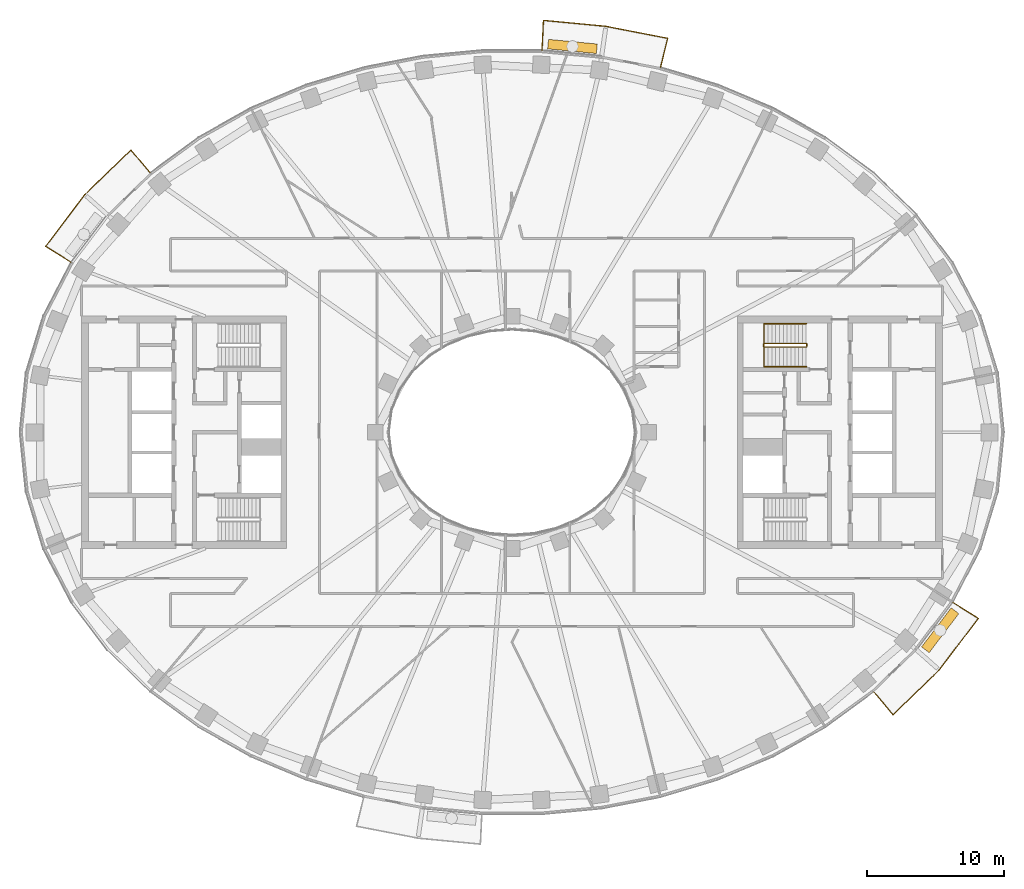
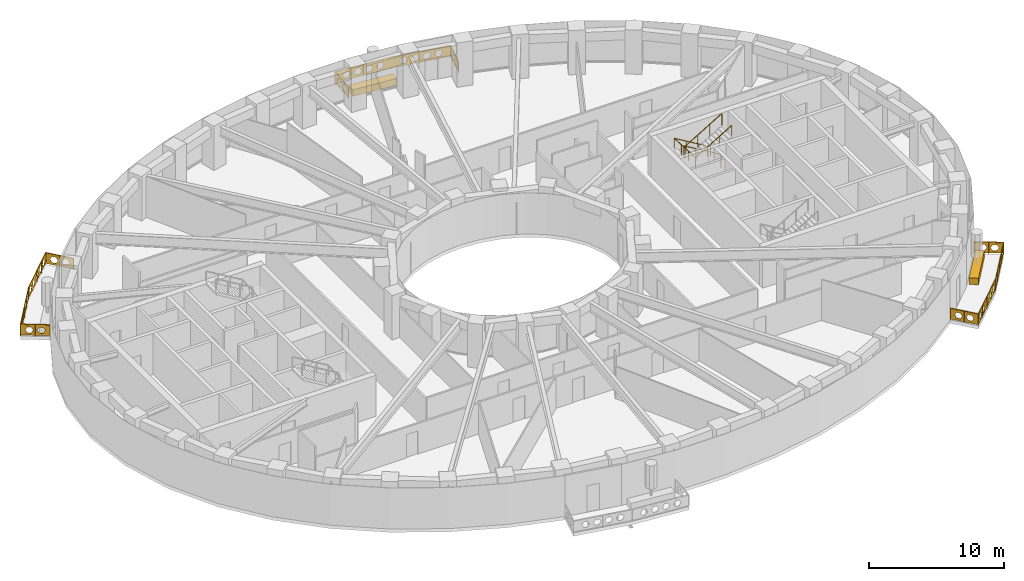
# One storey, part 15 of 16: 5 railings, 2 coverings.
"""IFC4 building model written with IfcOpenShell, lengths in metres."""

from ifc_helpers import new_model, si_unit, direction, frame, origin, origin_2d, place, context, subcontext, project, spatial, polyline, rectangle, outline, extrude, material, type_object, element, save


model = new_model("IFC4")

# Units and contexts
model_context = context("Model", 3, precision=1e-05, world=origin(), true_north=direction((0.0, 1.0)))
body_context = subcontext(model_context, "Body", "Model", "MODEL_VIEW")
ifc_project = project(units=[si_unit("LENGTHUNIT", "METRE"), si_unit("AREAUNIT", "SQUARE_METRE"), si_unit("VOLUMEUNIT", "CUBIC_METRE"), si_unit("PLANEANGLEUNIT", "RADIAN"), si_unit("MASSUNIT", "GRAM", prefix="KILO")], contexts=[model_context])

# Site, building, storey
site_placement = place(None, origin())
site = spatial("IfcSite", under=ifc_project, at=site_placement, CompositionType="ELEMENT")
building_placement = place(site_placement, origin())
building = spatial("IfcBuilding", under=site, at=building_placement, Name="Noorbagh Ring Tower", CompositionType="ELEMENT")
storey_placement = place(building_placement, frame((0.0, 0.0, 124.0)))
storey = spatial("IfcBuildingStorey", under=building, at=storey_placement, Name="L28", CompositionType="ELEMENT", Elevation=124.0)

# Railings
ifc_material_1 = material(Name="Stainless steel", Category="steel")
railing_type_1 = type_object("IfcRailingType", Name="CORE-STAIR-GUARD", PredefinedType="GUARDRAIL", material=ifc_material_1)
railing_1_placement = place(storey_placement, frame((21.580078125, 6.449951171875, 0.0)))
element("IfcRailing", 1, at=railing_1_placement, inside=storey, type_object=railing_type_1, Name="L28 ST3 stair guard", PredefinedType="GUARDRAIL", context=body_context, shape_type="SweptSolid", body=[
    extrude(rectangle(XDim=0.048095703125, YDim=0.048095703125, at=origin_2d()), frame((0.0, 0.0, 1.076171875), z_axis=(0.0, -1.0, 0.0), x_axis=(1.0, 0.0, 0.0)), (0.0, 0.0, 1.0), 0.14990234375),
    extrude(rectangle(XDim=0.048095703125, YDim=0.048095703125, at=origin_2d()), frame((0.0, -0.14990234375, 1.076171875), z_axis=(-0.188775798145, 0.754182335027, 0.628945707965), x_axis=(-0.970072785993, -0.242814311512, 0.0)), (0.0, 0.0, 1.0), 0.26513671875),
    extrude(rectangle(XDim=0.048095703125, YDim=0.048095703125, at=origin_2d()), frame((-0.050048828125, 0.050048828125, 1.24267578125), z_axis=(-0.859308565015, 0.0, 0.511457515432), x_axis=(0.0, -1.0, 0.0)), (0.0, 0.0, 1.0), 3.58447265625),
    extrude(rectangle(XDim=0.048095703125, YDim=0.048095703125, at=origin_2d()), frame((-3.130126953125, 0.050048828125, 3.076171875), z_axis=(-0.707106781187, -0.707106781187, 0.0), x_axis=(0.707106781187, -0.707106781187, 0.0)), (0.0, 0.0, 1.0), 0.07080078125),
    extrude(rectangle(XDim=0.048095703125, YDim=0.048095703125, at=origin_2d()), frame((-3.18017578125, 0.0, 3.076171875), z_axis=(0.0, -1.0, 0.0), x_axis=(1.0, 0.0, 0.0)), (0.0, 0.0, 1.0), 0.14990234375),
    extrude(rectangle(XDim=0.048095703125, YDim=0.048095703125, at=origin_2d()), frame((-3.18017578125, -0.14990234375, 3.076171875), z_axis=(0.27628659633, -0.27628659633, 0.920506074601), x_axis=(0.707106781187, 0.707106781187, 0.0)), (0.0, 0.0, 1.0), 0.18115234375),
    extrude(rectangle(XDim=0.048095703125, YDim=0.048095703125, at=origin_2d()), frame((-3.130126953125, -0.199951171875, 3.24267578125), z_axis=(0.859308565015, 0.0, 0.511457515432), x_axis=(0.0, 1.0, 0.0)), (0.0, 0.0, 1.0), 3.58447265625),
    extrude(rectangle(XDim=0.0419921875, YDim=0.0419921875, at=origin_2d()), origin(), (0.0, 0.0, 1.0), 1.052001953125),
    extrude(rectangle(XDim=0.0419921875, YDim=0.0419921875, at=origin_2d()), frame((-1.07666015625, 0.050048828125, 0.77783203125)), (0.0, 0.0, 1.0), 1.052001953125),
    extrude(rectangle(XDim=0.0419921875, YDim=0.0419921875, at=origin_2d()), frame((-2.103515625, 0.050048828125, 1.388916015625)), (0.0, 0.0, 1.0), 1.052001953125),
    extrude(rectangle(XDim=0.0419921875, YDim=0.0419921875, at=origin_2d()), frame((-3.130126953125, 0.050048828125, 2.0)), (0.0, 0.0, 1.0), 1.052001953125),
    extrude(rectangle(XDim=0.0419921875, YDim=0.0419921875, at=origin_2d()), frame((-3.130126953125, -0.199951171875, 2.166748046875)), (0.0, 0.0, 1.0), 1.052001953125),
    extrude(rectangle(XDim=0.0419921875, YDim=0.0419921875, at=origin_2d()), frame((-2.103515625, -0.199951171875, 2.77783203125)), (0.0, 0.0, 1.0), 1.052001953125),
    extrude(rectangle(XDim=0.0419921875, YDim=0.0419921875, at=origin_2d()), frame((-1.07666015625, -0.199951171875, 3.388916015625)), (0.0, 0.0, 1.0), 1.052001953125),
    extrude(rectangle(XDim=0.0419921875, YDim=0.0419921875, at=origin_2d()), frame((-0.050048828125, -0.199951171875, 4.0)), (0.0, 0.0, 1.0), 1.052001953125),
])
ifc_material_2 = material(Name="Stainless steel", Category="steel")
railing_type_2 = type_object("IfcRailingType", Name="CORE-STAIR-HANDRAIL", PredefinedType="HANDRAIL", material=ifc_material_2)
railing_2_placement = place(storey_placement, frame((21.530029296875, 7.949951171875, 0.166748046875)))
element("IfcRailing", 2, at=railing_2_placement, inside=storey, type_object=railing_type_2, Name="L28 ST3 stair handrail", PredefinedType="HANDRAIL", context=body_context, shape_type="SweptSolid", body=[
    extrude(rectangle(XDim=0.048095703125, YDim=0.048095703125, at=origin_2d()), frame((0.0, 0.0, 0.8759765625), z_axis=(-0.859308565015, 0.0, 0.511457515432), x_axis=(0.0, -1.0, 0.0)), (0.0, 0.0, 1.0), 3.58447265625),
    extrude(rectangle(XDim=0.048095703125, YDim=0.048095703125, at=origin_2d()), frame((-3.080078125, 0.0, 2.708984375), z_axis=(0.0, -0.998601747152, 0.052863509014), x_axis=(1.0, 0.0, 0.0)), (0.0, 0.0, 1.0), 3.154296875),
    extrude(rectangle(XDim=0.048095703125, YDim=0.048095703125, at=origin_2d()), frame((-3.080078125, -3.14990234375, 2.8759765625), z_axis=(0.859308565015, 0.0, 0.511457515432), x_axis=(0.0, 1.0, 0.0)), (0.0, 0.0, 1.0), 3.58447265625),
    extrude(rectangle(XDim=0.0419921875, YDim=0.0419921875, at=origin_2d()), origin(), (0.0, 0.0, 1.0), 0.851806640625),
    extrude(rectangle(XDim=0.0419921875, YDim=0.0419921875, at=origin_2d()), frame((-1.026611328125, 0.0, 0.611083984375)), (0.0, 0.0, 1.0), 0.851806640625),
    extrude(rectangle(XDim=0.0419921875, YDim=0.0419921875, at=origin_2d()), frame((-2.053466796875, 0.0, 1.22216796875)), (0.0, 0.0, 1.0), 0.851806640625),
    extrude(rectangle(XDim=0.0419921875, YDim=0.0419921875, at=origin_2d()), frame((-3.080078125, 0.0, 1.833251953125)), (0.0, 0.0, 1.0), 0.851806640625),
    extrude(rectangle(XDim=0.0419921875, YDim=0.0419921875, at=origin_2d()), frame((-3.080078125, -1.050048828125, 1.888916015625)), (0.0, 0.0, 1.0), 0.851806640625),
    extrude(rectangle(XDim=0.0419921875, YDim=0.0419921875, at=origin_2d()), frame((-3.080078125, -2.099853515625, 1.9443359375)), (0.0, 0.0, 1.0), 0.851806640625),
    extrude(rectangle(XDim=0.0419921875, YDim=0.0419921875, at=origin_2d()), frame((-3.080078125, -3.14990234375, 2.0)), (0.0, 0.0, 1.0), 0.851806640625),
    extrude(rectangle(XDim=0.0419921875, YDim=0.0419921875, at=origin_2d()), frame((-2.053466796875, -3.14990234375, 2.611083984375)), (0.0, 0.0, 1.0), 0.851806640625),
    extrude(rectangle(XDim=0.0419921875, YDim=0.0419921875, at=origin_2d()), frame((-1.026611328125, -3.14990234375, 3.22216796875)), (0.0, 0.0, 1.0), 0.851806640625),
    extrude(rectangle(XDim=0.0419921875, YDim=0.0419921875, at=origin_2d()), frame((0.0, -3.14990234375, 3.833251953125)), (0.0, 0.0, 1.0), 0.851806640625),
])
ifc_material_3 = material(Name="Steel S275 black powder-coated", Category="steel")
railing_type_3 = type_object("IfcRailingType", Name="ENV-GUARD", PredefinedType="GUARDRAIL", material=ifc_material_3)
railing_3_placement = place(storey_placement, frame((10.865234375, 26.6943359375, 0.0)))
element("IfcRailing", 3, at=railing_3_placement, inside=storey, type_object=railing_type_3, Name="Balcony guard BN03", PredefinedType="GUARDRAIL", context=body_context, shape_type="SweptSolid", body=[
    extrude(rectangle(XDim=0.048095703125, YDim=0.048095703125, at=origin_2d()), frame((0.0, 0.0, 1.076171875), z_axis=(0.239848558412, 0.970810315679, 0.0), x_axis=(-0.970810315679, 0.239848558412, 0.0)), (0.0, 0.0, 1.0), 2.20263671875),
    extrude(rectangle(XDim=0.048095703125, YDim=0.048095703125, at=origin_2d()), frame((0.5283203125, 2.138427734375, 1.076171875), z_axis=(-0.981625049064, 0.1908199755, 0.0), x_axis=(-0.1908199755, -0.981625049064, 0.0)), (0.0, 0.0, 1.0), 4.603271484375),
    extrude(rectangle(XDim=0.048095703125, YDim=0.048095703125, at=origin_2d()), frame((-3.990478515625, 3.016845703125, 1.076171875), z_axis=(-0.995477555764, 0.094997031379, 0.0), x_axis=(-0.094997031379, -0.995477555764, 0.0)), (0.0, 0.0, 1.0), 4.59765625),
    extrude(rectangle(XDim=0.048095703125, YDim=0.048095703125, at=origin_2d()), frame((-8.5673828125, 3.45361328125, 1.076171875), z_axis=(-0.047554616162, -0.998868639252, 0.0), x_axis=(0.998868639252, -0.047554616162, 0.0)), (0.0, 0.0, 1.0), 2.202392578125),
    extrude(rectangle(XDim=0.0419921875, YDim=0.0419921875, at=origin_2d()), origin(), (0.0, 0.0, 1.0), 1.052001953125),
    extrude(rectangle(XDim=0.0419921875, YDim=0.0419921875, at=origin_2d()), frame((0.26416015625, 1.0693359375, 0.0)), (0.0, 0.0, 1.0), 1.052001953125),
    extrude(rectangle(XDim=0.0419921875, YDim=0.0419921875, at=origin_2d()), frame((0.5283203125, 2.138427734375, 0.0)), (0.0, 0.0, 1.0), 1.052001953125),
    extrude(rectangle(XDim=0.0419921875, YDim=0.0419921875, at=origin_2d()), frame((-0.601318359375, 2.35791015625, 0.0)), (0.0, 0.0, 1.0), 1.052001953125),
    extrude(rectangle(XDim=0.0419921875, YDim=0.0419921875, at=origin_2d()), frame((-1.73095703125, 2.57763671875, 0.0)), (0.0, 0.0, 1.0), 1.052001953125),
    extrude(rectangle(XDim=0.0419921875, YDim=0.0419921875, at=origin_2d()), frame((-2.86083984375, 2.79736328125, 0.0)), (0.0, 0.0, 1.0), 1.052001953125),
    extrude(rectangle(XDim=0.0419921875, YDim=0.0419921875, at=origin_2d()), frame((-3.990478515625, 3.016845703125, 0.0)), (0.0, 0.0, 1.0), 1.052001953125),
    extrude(rectangle(XDim=0.0419921875, YDim=0.0419921875, at=origin_2d()), frame((-5.134765625, 3.1259765625, 0.0)), (0.0, 0.0, 1.0), 1.052001953125),
    extrude(rectangle(XDim=0.0419921875, YDim=0.0419921875, at=origin_2d()), frame((-6.27880859375, 3.2353515625, 0.0)), (0.0, 0.0, 1.0), 1.052001953125),
    extrude(rectangle(XDim=0.0419921875, YDim=0.0419921875, at=origin_2d()), frame((-7.423095703125, 3.344482421875, 0.0)), (0.0, 0.0, 1.0), 1.052001953125),
    extrude(rectangle(XDim=0.0419921875, YDim=0.0419921875, at=origin_2d()), frame((-8.5673828125, 3.45361328125, 0.0)), (0.0, 0.0, 1.0), 1.052001953125),
    extrude(rectangle(XDim=0.0419921875, YDim=0.0419921875, at=origin_2d()), frame((-8.61962890625, 2.353515625, 0.0)), (0.0, 0.0, 1.0), 1.052001953125),
    extrude(rectangle(XDim=0.0419921875, YDim=0.0419921875, at=origin_2d()), frame((-8.672119140625, 1.253662109375, 0.0)), (0.0, 0.0, 1.0), 1.052001953125),
    extrude(outline(polyline([(0.0, 0.10009765625), (2.20263671875, 0.10009765625), (2.20263671875, 1.031982421875), (0.0, 1.031982421875), (0.0, 0.10009765625)]), holes=[polyline([(0.96142578125, 0.56591796875), (0.806396484375, 0.83447265625), (0.496337890625, 0.83447265625), (0.34130859375, 0.56591796875), (0.496337890625, 0.297607421875), (0.806396484375, 0.297607421875), (0.96142578125, 0.56591796875)]), polyline([(1.861328125, 0.56591796875), (1.706298828125, 0.83447265625), (1.396240234375, 0.83447265625), (1.241455078125, 0.56591796875), (1.396240234375, 0.297607421875), (1.706298828125, 0.297607421875), (1.861328125, 0.56591796875)])]), frame((-0.009765625, 0.00244140625, 0.0), z_axis=(0.970810315679, -0.239848558412, 0.0), x_axis=(0.239848558412, 0.970810315679, 0.0)), (0.0, 0.0, 1.0), 0.02001953125),
    extrude(outline(polyline([(0.0, 0.10009765625), (4.603271484375, 0.10009765625), (4.603271484375, 1.031982421875), (0.0, 1.031982421875), (0.0, 0.10009765625)]), holes=[polyline([(1.26171875, 0.56591796875), (1.106689453125, 0.83447265625), (0.796630859375, 0.83447265625), (0.6416015625, 0.56591796875), (0.796630859375, 0.297607421875), (1.106689453125, 0.297607421875), (1.26171875, 0.56591796875)]), polyline([(2.16162109375, 0.56591796875), (2.006591796875, 0.83447265625), (1.69677734375, 0.83447265625), (1.541748046875, 0.56591796875), (1.69677734375, 0.297607421875), (2.006591796875, 0.297607421875), (2.16162109375, 0.56591796875)]), polyline([(3.061767578125, 0.56591796875), (2.90673828125, 0.83447265625), (2.5966796875, 0.83447265625), (2.441650390625, 0.56591796875), (2.5966796875, 0.297607421875), (2.90673828125, 0.297607421875), (3.061767578125, 0.56591796875)]), polyline([(3.961669921875, 0.56591796875), (3.806640625, 0.83447265625), (3.49658203125, 0.83447265625), (3.341796875, 0.56591796875), (3.49658203125, 0.297607421875), (3.806640625, 0.297607421875), (3.961669921875, 0.56591796875)])]), frame((0.5263671875, 2.128662109375, 0.0), z_axis=(0.1908199755, 0.981625049064, 0.0), x_axis=(-0.981625049064, 0.1908199755, 0.0)), (0.0, 0.0, 1.0), 0.02001953125),
    extrude(outline(polyline([(0.0, 0.10009765625), (4.59765625, 0.10009765625), (4.59765625, 1.031982421875), (0.0, 1.031982421875), (0.0, 0.10009765625)]), holes=[polyline([(1.2587890625, 0.56591796875), (1.103759765625, 0.83447265625), (0.7939453125, 0.83447265625), (0.638916015625, 0.56591796875), (0.7939453125, 0.297607421875), (1.103759765625, 0.297607421875), (1.2587890625, 0.56591796875)]), polyline([(2.158935546875, 0.56591796875), (2.00390625, 0.83447265625), (1.69384765625, 0.83447265625), (1.538818359375, 0.56591796875), (1.69384765625, 0.297607421875), (2.00390625, 0.297607421875), (2.158935546875, 0.56591796875)]), polyline([(3.058837890625, 0.56591796875), (2.90380859375, 0.83447265625), (2.59375, 0.83447265625), (2.43896484375, 0.56591796875), (2.59375, 0.297607421875), (2.90380859375, 0.297607421875), (3.058837890625, 0.56591796875)]), polyline([(3.958740234375, 0.56591796875), (3.803955078125, 0.83447265625), (3.493896484375, 0.83447265625), (3.3388671875, 0.56591796875), (3.493896484375, 0.297607421875), (3.803955078125, 0.297607421875), (3.958740234375, 0.56591796875)])]), frame((-3.991455078125, 3.0068359375, 0.0), z_axis=(0.094997031379, 0.995477555764, 0.0), x_axis=(-0.995477555764, 0.094997031379, 0.0)), (0.0, 0.0, 1.0), 0.02001953125),
    extrude(outline(polyline([(0.0, 0.10009765625), (2.202392578125, 0.10009765625), (2.202392578125, 1.031982421875), (0.0, 1.031982421875), (0.0, 0.10009765625)]), holes=[polyline([(0.961181640625, 0.56591796875), (0.80615234375, 0.83447265625), (0.496337890625, 0.83447265625), (0.34130859375, 0.56591796875), (0.496337890625, 0.297607421875), (0.80615234375, 0.297607421875), (0.961181640625, 0.56591796875)]), polyline([(1.861328125, 0.56591796875), (1.706298828125, 0.83447265625), (1.396240234375, 0.83447265625), (1.2412109375, 0.56591796875), (1.396240234375, 0.297607421875), (1.706298828125, 0.297607421875), (1.861328125, 0.56591796875)])]), frame((-8.557373046875, 3.453125, 0.0), z_axis=(-0.998868639252, 0.047554616162, 0.0), x_axis=(-0.047554616162, -0.998868639252, 0.0)), (0.0, 0.0, 1.0), 0.02001953125),
])
railing_4_placement = place(storey_placement, frame((-26.463134765625, 18.983154296875, 0.0)))
element("IfcRailing", 4, at=railing_4_placement, inside=storey, type_object=railing_type_3, Name="Balcony guard BN06", PredefinedType="GUARDRAIL", context=body_context, shape_type="SweptSolid", body=[
    extrude(rectangle(XDim=0.048095703125, YDim=0.048095703125, at=origin_2d()), frame((0.0, 0.0, 1.076171875), z_axis=(-0.646413574048, 0.762987215677, 0.0), x_axis=(-0.762987215677, -0.646413574048, 0.0)), (0.0, 0.0, 1.0), 2.205322265625),
    extrude(rectangle(XDim=0.048095703125, YDim=0.048095703125, at=origin_2d()), frame((-1.425537109375, 1.6826171875, 1.076171875), z_axis=(-0.717212632946, -0.696854388766, 0.0), x_axis=(0.696854388766, -0.717212632946, 0.0)), (0.0, 0.0, 1.0), 4.700927734375),
    extrude(rectangle(XDim=0.048095703125, YDim=0.048095703125, at=origin_2d()), frame((-4.797119140625, -1.59326171875, 1.076171875), z_axis=(-0.604001613322, -0.796983093362, 0.0), x_axis=(0.796983093362, -0.604001613322, 0.0)), (0.0, 0.0, 1.0), 4.7353515625),
    extrude(rectangle(XDim=0.048095703125, YDim=0.048095703125, at=origin_2d()), frame((-7.6572265625, -5.3671875, 1.076171875), z_axis=(0.844852397829, -0.534999463442, 0.0), x_axis=(0.534999463442, 0.844852397829, 0.0)), (0.0, 0.0, 1.0), 2.207763671875),
    extrude(rectangle(XDim=0.0419921875, YDim=0.0419921875, at=origin_2d()), origin(), (0.0, 0.0, 1.0), 1.052001953125),
    extrude(rectangle(XDim=0.0419921875, YDim=0.0419921875, at=origin_2d()), frame((-0.712890625, 0.84130859375, 0.0)), (0.0, 0.0, 1.0), 1.052001953125),
    extrude(rectangle(XDim=0.0419921875, YDim=0.0419921875, at=origin_2d()), frame((-1.425537109375, 1.6826171875, 0.0)), (0.0, 0.0, 1.0), 1.052001953125),
    extrude(rectangle(XDim=0.0419921875, YDim=0.0419921875, at=origin_2d()), frame((-2.2685546875, 0.86376953125, 0.0)), (0.0, 0.0, 1.0), 1.052001953125),
    extrude(rectangle(XDim=0.0419921875, YDim=0.0419921875, at=origin_2d()), frame((-3.111328125, 0.044677734375, 0.0)), (0.0, 0.0, 1.0), 1.052001953125),
    extrude(rectangle(XDim=0.0419921875, YDim=0.0419921875, at=origin_2d()), frame((-3.9541015625, -0.7744140625, 0.0)), (0.0, 0.0, 1.0), 1.052001953125),
    extrude(rectangle(XDim=0.0419921875, YDim=0.0419921875, at=origin_2d()), frame((-4.797119140625, -1.59326171875, 0.0)), (0.0, 0.0, 1.0), 1.052001953125),
    extrude(rectangle(XDim=0.0419921875, YDim=0.0419921875, at=origin_2d()), frame((-5.51220703125, -2.53662109375, 0.0)), (0.0, 0.0, 1.0), 1.052001953125),
    extrude(rectangle(XDim=0.0419921875, YDim=0.0419921875, at=origin_2d()), frame((-6.22705078125, -3.480224609375, 0.0)), (0.0, 0.0, 1.0), 1.052001953125),
    extrude(rectangle(XDim=0.0419921875, YDim=0.0419921875, at=origin_2d()), frame((-6.942138671875, -4.423828125, 0.0)), (0.0, 0.0, 1.0), 1.052001953125),
    extrude(rectangle(XDim=0.0419921875, YDim=0.0419921875, at=origin_2d()), frame((-7.6572265625, -5.3671875, 0.0)), (0.0, 0.0, 1.0), 1.052001953125),
    extrude(rectangle(XDim=0.0419921875, YDim=0.0419921875, at=origin_2d()), frame((-6.724609375, -5.957763671875, 0.0)), (0.0, 0.0, 1.0), 1.052001953125),
    extrude(rectangle(XDim=0.0419921875, YDim=0.0419921875, at=origin_2d()), frame((-5.7919921875, -6.54833984375, 0.0)), (0.0, 0.0, 1.0), 1.052001953125),
    extrude(outline(polyline([(0.0, 0.10009765625), (2.205322265625, 0.10009765625), (2.205322265625, 1.031982421875), (0.0, 1.031982421875), (0.0, 0.10009765625)]), holes=[polyline([(0.962646484375, 0.56591796875), (0.8076171875, 0.83447265625), (0.49755859375, 0.83447265625), (0.342529296875, 0.56591796875), (0.49755859375, 0.297607421875), (0.8076171875, 0.297607421875), (0.962646484375, 0.56591796875)]), polyline([(1.862548828125, 0.56591796875), (1.707763671875, 0.83447265625), (1.397705078125, 0.83447265625), (1.24267578125, 0.56591796875), (1.397705078125, 0.297607421875), (1.707763671875, 0.297607421875), (1.862548828125, 0.56591796875)])]), frame((-0.007568359375, -0.00634765625, 0.0), z_axis=(0.762987215677, 0.646413574048, 0.0), x_axis=(-0.646413574048, 0.762987215677, 0.0)), (0.0, 0.0, 1.0), 0.02001953125),
    extrude(outline(polyline([(0.0, 0.10009765625), (4.700927734375, 0.10009765625), (4.700927734375, 1.031982421875), (0.0, 1.031982421875), (0.0, 0.10009765625)]), holes=[polyline([(0.860595703125, 0.56591796875), (0.70556640625, 0.83447265625), (0.3955078125, 0.83447265625), (0.240478515625, 0.56591796875), (0.3955078125, 0.297607421875), (0.70556640625, 0.297607421875), (0.860595703125, 0.56591796875)]), polyline([(1.760498046875, 0.56591796875), (1.60546875, 0.83447265625), (1.29541015625, 0.83447265625), (1.140380859375, 0.56591796875), (1.29541015625, 0.297607421875), (1.60546875, 0.297607421875), (1.760498046875, 0.56591796875)]), polyline([(2.660400390625, 0.56591796875), (2.50537109375, 0.83447265625), (2.195556640625, 0.83447265625), (2.04052734375, 0.56591796875), (2.195556640625, 0.297607421875), (2.50537109375, 0.297607421875), (2.660400390625, 0.56591796875)]), polyline([(3.560546875, 0.56591796875), (3.405517578125, 0.83447265625), (3.095458984375, 0.83447265625), (2.9404296875, 0.56591796875), (3.095458984375, 0.297607421875), (3.405517578125, 0.297607421875), (3.560546875, 0.56591796875)]), polyline([(4.46044921875, 0.56591796875), (4.305419921875, 0.83447265625), (3.995361328125, 0.83447265625), (3.840576171875, 0.56591796875), (3.995361328125, 0.297607421875), (4.305419921875, 0.297607421875), (4.46044921875, 0.56591796875)])]), frame((-1.41845703125, 1.675537109375, 0.0), z_axis=(-0.696854388766, 0.717212632946, 0.0), x_axis=(-0.717212632946, -0.696854388766, 0.0)), (0.0, 0.0, 1.0), 0.02001953125),
    extrude(outline(polyline([(0.0, 0.10009765625), (4.7353515625, 0.10009765625), (4.7353515625, 1.031982421875), (0.0, 1.031982421875), (0.0, 0.10009765625)]), holes=[polyline([(0.877685546875, 0.56591796875), (0.72265625, 0.83447265625), (0.41259765625, 0.83447265625), (0.257568359375, 0.56591796875), (0.41259765625, 0.297607421875), (0.72265625, 0.297607421875), (0.877685546875, 0.56591796875)]), polyline([(1.777587890625, 0.56591796875), (1.62255859375, 0.83447265625), (1.312744140625, 0.83447265625), (1.15771484375, 0.56591796875), (1.312744140625, 0.297607421875), (1.62255859375, 0.297607421875), (1.777587890625, 0.56591796875)]), polyline([(2.677734375, 0.56591796875), (2.522705078125, 0.83447265625), (2.212646484375, 0.83447265625), (2.0576171875, 0.56591796875), (2.212646484375, 0.297607421875), (2.522705078125, 0.297607421875), (2.677734375, 0.56591796875)]), polyline([(3.57763671875, 0.56591796875), (3.422607421875, 0.83447265625), (3.112548828125, 0.83447265625), (2.95751953125, 0.56591796875), (3.112548828125, 0.297607421875), (3.422607421875, 0.297607421875), (3.57763671875, 0.56591796875)]), polyline([(4.4775390625, 0.56591796875), (4.32275390625, 0.83447265625), (4.0126953125, 0.83447265625), (3.857666015625, 0.56591796875), (4.0126953125, 0.297607421875), (4.32275390625, 0.297607421875), (4.4775390625, 0.56591796875)])]), frame((-4.7890625, -1.599365234375, 0.0), z_axis=(-0.796983093362, 0.604001613322, 0.0), x_axis=(-0.604001613322, -0.796983093362, 0.0)), (0.0, 0.0, 1.0), 0.02001953125),
    extrude(outline(polyline([(0.0, 0.10009765625), (2.207763671875, 0.10009765625), (2.207763671875, 1.031982421875), (0.0, 1.031982421875), (0.0, 0.10009765625)]), holes=[polyline([(0.9638671875, 0.56591796875), (0.808837890625, 0.83447265625), (0.498779296875, 0.83447265625), (0.343994140625, 0.56591796875), (0.498779296875, 0.297607421875), (0.808837890625, 0.297607421875), (0.9638671875, 0.56591796875)]), polyline([(1.86376953125, 0.56591796875), (1.708984375, 0.83447265625), (1.39892578125, 0.83447265625), (1.243896484375, 0.56591796875), (1.39892578125, 0.297607421875), (1.708984375, 0.297607421875), (1.86376953125, 0.56591796875)])]), frame((-7.65185546875, -5.358642578125, 0.0), z_axis=(-0.534999463442, -0.844852397829, 0.0), x_axis=(0.844852397829, -0.534999463442, 0.0)), (0.0, 0.0, 1.0), 0.02001953125),
])
railing_5_placement = place(storey_placement, frame((26.463134765625, -18.983154296875, 0.0)))
element("IfcRailing", 5, at=railing_5_placement, inside=storey, type_object=railing_type_3, Name="Balcony guard BS06", PredefinedType="GUARDRAIL", context=body_context, shape_type="SweptSolid", body=[
    extrude(rectangle(XDim=0.048095703125, YDim=0.048095703125, at=origin_2d()), frame((0.0, 0.0, 1.076171875), z_axis=(0.646413574048, -0.762987215677, 0.0), x_axis=(0.762987215677, 0.646413574048, 0.0)), (0.0, 0.0, 1.0), 2.205322265625),
    extrude(rectangle(XDim=0.048095703125, YDim=0.048095703125, at=origin_2d()), frame((1.425537109375, -1.6826171875, 1.076171875), z_axis=(0.717212632946, 0.696854388766, 0.0), x_axis=(-0.696854388766, 0.717212632946, 0.0)), (0.0, 0.0, 1.0), 4.700927734375),
    extrude(rectangle(XDim=0.048095703125, YDim=0.048095703125, at=origin_2d()), frame((4.797119140625, 1.59326171875, 1.076171875), z_axis=(0.604001613322, 0.796983093362, 0.0), x_axis=(-0.796983093362, 0.604001613322, 0.0)), (0.0, 0.0, 1.0), 4.7353515625),
    extrude(rectangle(XDim=0.048095703125, YDim=0.048095703125, at=origin_2d()), frame((7.6572265625, 5.3671875, 1.076171875), z_axis=(-0.844852397829, 0.534999463442, 0.0), x_axis=(-0.534999463442, -0.844852397829, 0.0)), (0.0, 0.0, 1.0), 2.207763671875),
    extrude(rectangle(XDim=0.0419921875, YDim=0.0419921875, at=origin_2d()), origin(), (0.0, 0.0, 1.0), 1.052001953125),
    extrude(rectangle(XDim=0.0419921875, YDim=0.0419921875, at=origin_2d()), frame((0.712890625, -0.84130859375, 0.0)), (0.0, 0.0, 1.0), 1.052001953125),
    extrude(rectangle(XDim=0.0419921875, YDim=0.0419921875, at=origin_2d()), frame((1.425537109375, -1.6826171875, 0.0)), (0.0, 0.0, 1.0), 1.052001953125),
    extrude(rectangle(XDim=0.0419921875, YDim=0.0419921875, at=origin_2d()), frame((2.2685546875, -0.86376953125, 0.0)), (0.0, 0.0, 1.0), 1.052001953125),
    extrude(rectangle(XDim=0.0419921875, YDim=0.0419921875, at=origin_2d()), frame((3.111328125, -0.044677734375, 0.0)), (0.0, 0.0, 1.0), 1.052001953125),
    extrude(rectangle(XDim=0.0419921875, YDim=0.0419921875, at=origin_2d()), frame((3.9541015625, 0.7744140625, 0.0)), (0.0, 0.0, 1.0), 1.052001953125),
    extrude(rectangle(XDim=0.0419921875, YDim=0.0419921875, at=origin_2d()), frame((4.797119140625, 1.59326171875, 0.0)), (0.0, 0.0, 1.0), 1.052001953125),
    extrude(rectangle(XDim=0.0419921875, YDim=0.0419921875, at=origin_2d()), frame((5.51220703125, 2.53662109375, 0.0)), (0.0, 0.0, 1.0), 1.052001953125),
    extrude(rectangle(XDim=0.0419921875, YDim=0.0419921875, at=origin_2d()), frame((6.22705078125, 3.480224609375, 0.0)), (0.0, 0.0, 1.0), 1.052001953125),
    extrude(rectangle(XDim=0.0419921875, YDim=0.0419921875, at=origin_2d()), frame((6.942138671875, 4.423828125, 0.0)), (0.0, 0.0, 1.0), 1.052001953125),
    extrude(rectangle(XDim=0.0419921875, YDim=0.0419921875, at=origin_2d()), frame((7.6572265625, 5.3671875, 0.0)), (0.0, 0.0, 1.0), 1.052001953125),
    extrude(rectangle(XDim=0.0419921875, YDim=0.0419921875, at=origin_2d()), frame((6.724609375, 5.957763671875, 0.0)), (0.0, 0.0, 1.0), 1.052001953125),
    extrude(rectangle(XDim=0.0419921875, YDim=0.0419921875, at=origin_2d()), frame((5.7919921875, 6.54833984375, 0.0)), (0.0, 0.0, 1.0), 1.052001953125),
    extrude(outline(polyline([(0.0, 0.10009765625), (2.205322265625, 0.10009765625), (2.205322265625, 1.031982421875), (0.0, 1.031982421875), (0.0, 0.10009765625)]), holes=[polyline([(0.962646484375, 0.56591796875), (0.8076171875, 0.83447265625), (0.49755859375, 0.83447265625), (0.342529296875, 0.56591796875), (0.49755859375, 0.297607421875), (0.8076171875, 0.297607421875), (0.962646484375, 0.56591796875)]), polyline([(1.862548828125, 0.56591796875), (1.707763671875, 0.83447265625), (1.397705078125, 0.83447265625), (1.24267578125, 0.56591796875), (1.397705078125, 0.297607421875), (1.707763671875, 0.297607421875), (1.862548828125, 0.56591796875)])]), frame((0.007568359375, 0.00634765625, 0.0), z_axis=(-0.762987215677, -0.646413574048, 0.0), x_axis=(0.646413574048, -0.762987215677, 0.0)), (0.0, 0.0, 1.0), 0.02001953125),
    extrude(outline(polyline([(0.0, 0.10009765625), (4.700927734375, 0.10009765625), (4.700927734375, 1.031982421875), (0.0, 1.031982421875), (0.0, 0.10009765625)]), holes=[polyline([(0.860595703125, 0.56591796875), (0.70556640625, 0.83447265625), (0.3955078125, 0.83447265625), (0.240478515625, 0.56591796875), (0.3955078125, 0.297607421875), (0.70556640625, 0.297607421875), (0.860595703125, 0.56591796875)]), polyline([(1.760498046875, 0.56591796875), (1.60546875, 0.83447265625), (1.29541015625, 0.83447265625), (1.140380859375, 0.56591796875), (1.29541015625, 0.297607421875), (1.60546875, 0.297607421875), (1.760498046875, 0.56591796875)]), polyline([(2.660400390625, 0.56591796875), (2.50537109375, 0.83447265625), (2.195556640625, 0.83447265625), (2.04052734375, 0.56591796875), (2.195556640625, 0.297607421875), (2.50537109375, 0.297607421875), (2.660400390625, 0.56591796875)]), polyline([(3.560546875, 0.56591796875), (3.405517578125, 0.83447265625), (3.095458984375, 0.83447265625), (2.9404296875, 0.56591796875), (3.095458984375, 0.297607421875), (3.405517578125, 0.297607421875), (3.560546875, 0.56591796875)]), polyline([(4.46044921875, 0.56591796875), (4.305419921875, 0.83447265625), (3.995361328125, 0.83447265625), (3.840576171875, 0.56591796875), (3.995361328125, 0.297607421875), (4.305419921875, 0.297607421875), (4.46044921875, 0.56591796875)])]), frame((1.41845703125, -1.675537109375, 0.0), z_axis=(0.696854388766, -0.717212632946, 0.0), x_axis=(0.717212632946, 0.696854388766, 0.0)), (0.0, 0.0, 1.0), 0.02001953125),
    extrude(outline(polyline([(0.0, 0.10009765625), (4.7353515625, 0.10009765625), (4.7353515625, 1.031982421875), (0.0, 1.031982421875), (0.0, 0.10009765625)]), holes=[polyline([(0.877685546875, 0.56591796875), (0.72265625, 0.83447265625), (0.41259765625, 0.83447265625), (0.257568359375, 0.56591796875), (0.41259765625, 0.297607421875), (0.72265625, 0.297607421875), (0.877685546875, 0.56591796875)]), polyline([(1.777587890625, 0.56591796875), (1.62255859375, 0.83447265625), (1.312744140625, 0.83447265625), (1.15771484375, 0.56591796875), (1.312744140625, 0.297607421875), (1.62255859375, 0.297607421875), (1.777587890625, 0.56591796875)]), polyline([(2.677734375, 0.56591796875), (2.522705078125, 0.83447265625), (2.212646484375, 0.83447265625), (2.0576171875, 0.56591796875), (2.212646484375, 0.297607421875), (2.522705078125, 0.297607421875), (2.677734375, 0.56591796875)]), polyline([(3.57763671875, 0.56591796875), (3.422607421875, 0.83447265625), (3.112548828125, 0.83447265625), (2.95751953125, 0.56591796875), (3.112548828125, 0.297607421875), (3.422607421875, 0.297607421875), (3.57763671875, 0.56591796875)]), polyline([(4.4775390625, 0.56591796875), (4.32275390625, 0.83447265625), (4.0126953125, 0.83447265625), (3.857666015625, 0.56591796875), (4.0126953125, 0.297607421875), (4.32275390625, 0.297607421875), (4.4775390625, 0.56591796875)])]), frame((4.7890625, 1.599365234375, 0.0), z_axis=(0.796983093362, -0.604001613322, 0.0), x_axis=(0.604001613322, 0.796983093362, 0.0)), (0.0, 0.0, 1.0), 0.02001953125),
    extrude(outline(polyline([(0.0, 0.10009765625), (2.207763671875, 0.10009765625), (2.207763671875, 1.031982421875), (0.0, 1.031982421875), (0.0, 0.10009765625)]), holes=[polyline([(0.9638671875, 0.56591796875), (0.808837890625, 0.83447265625), (0.498779296875, 0.83447265625), (0.343994140625, 0.56591796875), (0.498779296875, 0.297607421875), (0.808837890625, 0.297607421875), (0.9638671875, 0.56591796875)]), polyline([(1.86376953125, 0.56591796875), (1.708984375, 0.83447265625), (1.39892578125, 0.83447265625), (1.243896484375, 0.56591796875), (1.39892578125, 0.297607421875), (1.708984375, 0.297607421875), (1.86376953125, 0.56591796875)])]), frame((7.65185546875, 5.358642578125, 0.0), z_axis=(0.534999463442, 0.844852397829, 0.0), x_axis=(-0.844852397829, 0.534999463442, 0.0)), (0.0, 0.0, 1.0), 0.02001953125),
])

# Coverings
ifc_material_4 = material(Name="Concrete C30/37 planter with soil", Category="concrete")
covering_type = type_object("IfcCoveringType", Name="ENV-PLANTER", PredefinedType="CLADDING", material=ifc_material_4)
covering_1_placement = place(storey_placement, frame((4.423828125, 28.2373046875, 0.0), z_axis=(0.0, 0.0, 1.0), x_axis=(-0.995476497323, 0.095008122171, 0.0)))
element("IfcCovering", 6, at=covering_1_placement, inside=storey, type_object=covering_type, Name="PLANTER BN03", ObjectType="PLANTER", PredefinedType="CLADDING", context=body_context, shape_type="SweptSolid", body=[
    extrude(rectangle(XDim=3.58642578125, YDim=0.699951171875, at=origin_2d()), origin(), (0.0, 0.0, 1.0), 0.60009765625),
])
covering_2_placement = place(storey_placement, frame((31.329833984375, -14.4833984375, 0.0), z_axis=(0.0, 0.0, 1.0), x_axis=(0.604020184358, 0.796969018776, 0.0)))
element("IfcCovering", 7, at=covering_2_placement, inside=storey, type_object=covering_type, Name="PLANTER BS06", ObjectType="PLANTER", PredefinedType="CLADDING", context=body_context, shape_type="SweptSolid", body=[
    extrude(rectangle(XDim=3.583251953125, YDim=0.699951171875, at=origin_2d()), origin(), (0.0, 0.0, 1.0), 0.60009765625),
])

save(model, "model.ifc")
